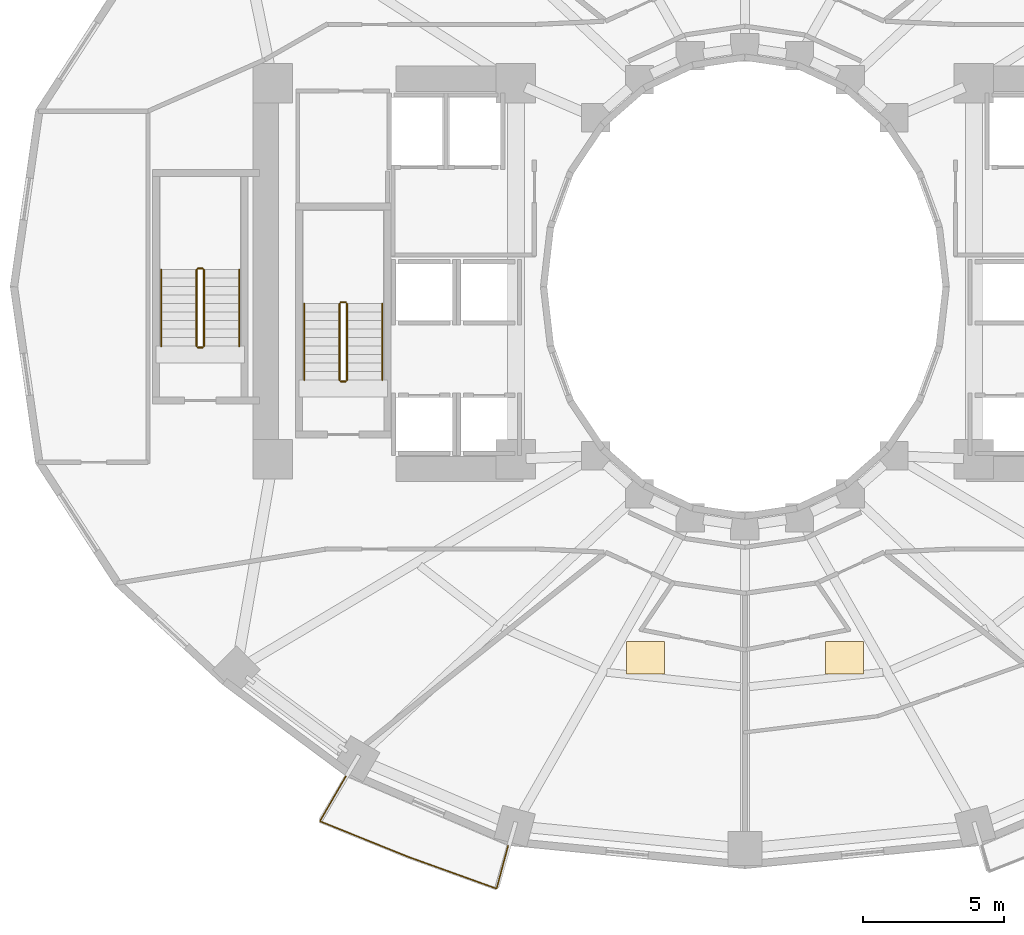
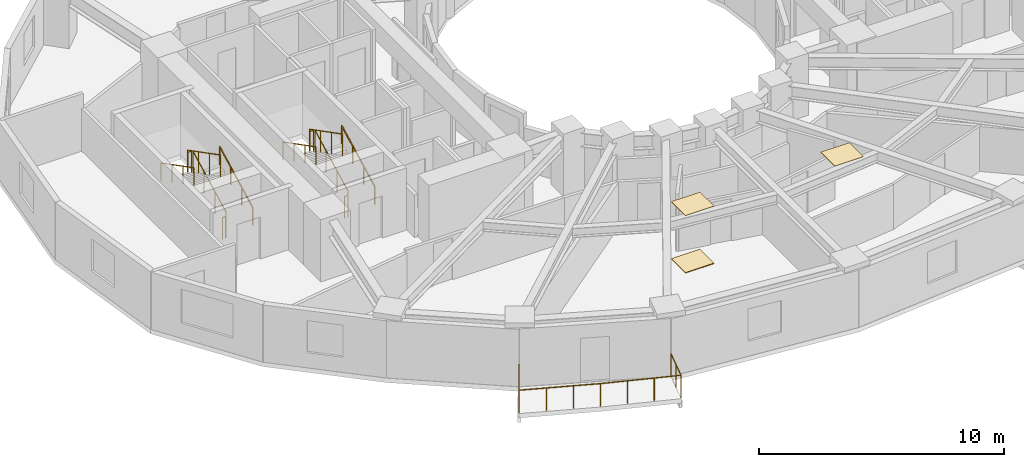
# One storey, part 8 of 10: 13 railings, 3 coverings.
"""IFC4 building model written with IfcOpenShell, lengths in metres."""

from ifc_helpers import new_model, si_unit, direction, frame, origin, origin_2d, place, context, subcontext, project, spatial, polyline, circle, outline, extrude, material, layer, layer_set, type_object, element, save


model = new_model("IFC4")

# Units and contexts
model_context = context("Model", 3, precision=1e-05, world=origin(), true_north=direction((0.0, 1.0)))
body_context = subcontext(model_context, "Body", "Model", "MODEL_VIEW")
ifc_project = project(units=[si_unit("LENGTHUNIT", "METRE"), si_unit("AREAUNIT", "SQUARE_METRE"), si_unit("VOLUMEUNIT", "CUBIC_METRE"), si_unit("PLANEANGLEUNIT", "RADIAN"), si_unit("MASSUNIT", "GRAM", prefix="KILO")], contexts=[model_context])

# Site, building, storey
site_placement = place(None, origin())
site = spatial("IfcSite", under=ifc_project, at=site_placement, CompositionType="ELEMENT")
building_placement = place(site_placement, origin())
building = spatial("IfcBuilding", under=site, at=building_placement, Name="Solvane Sanctuary Tower", CompositionType="ELEMENT")
storey_placement = place(building_placement, frame((0.0, 0.0, 30.699951171875)))
storey = spatial("IfcBuildingStorey", under=building, at=storey_placement, Name="L08", CompositionType="ELEMENT", Elevation=30.699951171875)

# Coverings
ifc_material_1 = material(Name="Acoustic Gypsum Partition Board")
ifc_layer_1 = layer(ifc_material_1, 0.02490234375, Name="Acoustic Gypsum Partition Board")
ifc_layer_set_1 = layer_set([ifc_layer_1], Name="Acoustic Gypsum Partition Board")
covering_type_1 = type_object("IfcCoveringType", Name="Covering CLG-ACOUST", PredefinedType="CEILING", material=ifc_layer_set_1)
covering_1_placement = place(storey_placement, frame((0.0, 0.0, 2.85009765625)))
element("IfcCovering", 1, at=covering_1_placement, inside=storey, type_object=covering_type_1, Name="L08 Unit Acoustic Ceiling Panel 3", PredefinedType="CEILING", context=body_context, shape_type="SweptSolid", body=[
    extrude(outline(polyline([(27.804931640625, 9.2880859375), (29.155029296875, 9.2880859375), (29.155029296875, 10.43798828125), (27.804931640625, 10.43798828125), (27.804931640625, 9.2880859375)])), origin(), (0.0, 0.0, 1.0), 0.030029296875),
])
covering_2_placement = place(storey_placement, frame((0.0, 0.0, 2.85009765625)))
element("IfcCovering", 2, at=covering_2_placement, inside=storey, type_object=covering_type_1, Name="L08 Unit Acoustic Ceiling Panel 4", PredefinedType="CEILING", context=body_context, shape_type="SweptSolid", body=[
    extrude(outline(polyline([(34.844970703125, 9.2880859375), (36.195068359375, 9.2880859375), (36.195068359375, 10.43798828125), (34.844970703125, 10.43798828125), (34.844970703125, 9.2880859375)])), origin(), (0.0, 0.0, 1.0), 0.030029296875),
])
ifc_material_2 = material(Name="Ceramic Tile Finish")
ifc_layer_2 = layer(ifc_material_2, 0.030029296875, Name="Ceramic Tile Finish")
ifc_layer_set_2 = layer_set([ifc_layer_2], Name="Ceramic Tile Finish")
covering_type_2 = type_object("IfcCoveringType", Name="Covering FLR-TERRAZZO", PredefinedType="FLOORING", material=ifc_layer_set_2)
covering_3_placement = place(storey_placement, origin())
element("IfcCovering", 3, at=covering_3_placement, inside=storey, type_object=covering_type_2, Name="L08 Unit Terrazzo Inlay 3", PredefinedType="FLOORING", context=body_context, shape_type="SweptSolid", body=[
    extrude(outline(polyline([(27.804931640625, 9.2880859375), (29.155029296875, 9.2880859375), (29.155029296875, 10.43798828125), (27.804931640625, 10.43798828125), (27.804931640625, 9.2880859375)])), origin(), (0.0, 0.0, 1.0), 0.03515625),
])

# Railings
ifc_material_3 = material(Name="Architectural Stainless Steel 316", Category="steel")
railing_type_1 = type_object("IfcRailingType", Name="Railing GR-BALC-1150", PredefinedType="BALUSTRADE", material=ifc_material_3)
railing_1_placement = place(storey_placement, frame((17.8818359375, 5.677978515625, 0.0)))
element("IfcRailing", 4, at=railing_1_placement, inside=storey, type_object=railing_type_1, Name="L08 Wave Balcony Balustrade S1", PredefinedType="BALUSTRADE", context=body_context, shape_type="SweptSolid", body=[
    extrude(circle(Radius=0.02392578125, at=origin_2d()), frame((0.0, 0.0, 1.1259765625), z_axis=(-0.499983153418, -0.866035129944, 0.0), x_axis=(0.866035129944, -0.499983153418, 0.0)), (0.0, 0.0, 1.0), 1.83740234375),
    extrude(circle(Radius=0.02392578125, at=origin_2d()), frame((-0.918701171875, -1.59130859375, 1.1259765625), z_axis=(0.927416285208, -0.374030792758, 0.0), x_axis=(0.374030792758, 0.927416285208, 0.0)), (0.0, 0.0, 1.0), 3.3623046875),
    extrude(circle(Radius=0.02392578125, at=origin_2d()), frame((2.199462890625, -2.848876953125, 1.1259765625), z_axis=(0.940990134822, -0.338433990857, 0.0), x_axis=(0.338433990857, 0.940990134822, 0.0)), (0.0, 0.0, 1.0), 3.331298828125),
    extrude(circle(Radius=0.02392578125, at=origin_2d()), frame((5.334228515625, -3.976318359375, 1.1259765625), z_axis=(0.258860199722, 0.965914798002, 0.0), x_axis=(-0.965914798002, 0.258860199722, 0.0)), (0.0, 0.0, 1.0), 1.5732421875),
    extrude(circle(Radius=0.02099609375, at=origin_2d()), origin(), (0.0, 0.0, 1.0), 1.101806640625),
    extrude(circle(Radius=0.02099609375, at=origin_2d()), frame((-0.45947265625, -0.795654296875, 0.0)), (0.0, 0.0, 1.0), 1.101806640625),
    extrude(circle(Radius=0.02099609375, at=origin_2d()), frame((-0.918701171875, -1.59130859375, 0.0)), (0.0, 0.0, 1.0), 1.101806640625),
    extrude(circle(Radius=0.02099609375, at=origin_2d()), frame((0.12060546875, -2.010498046875, 0.0)), (0.0, 0.0, 1.0), 1.101806640625),
    extrude(circle(Radius=0.02099609375, at=origin_2d()), frame((1.16015625, -2.4296875, 0.0)), (0.0, 0.0, 1.0), 1.101806640625),
    extrude(circle(Radius=0.02099609375, at=origin_2d()), frame((2.199462890625, -2.848876953125, 0.0)), (0.0, 0.0, 1.0), 1.101806640625),
    extrude(circle(Radius=0.02099609375, at=origin_2d()), frame((3.244384765625, -3.224609375, 0.0)), (0.0, 0.0, 1.0), 1.101806640625),
    extrude(circle(Radius=0.02099609375, at=origin_2d()), frame((4.289306640625, -3.6005859375, 0.0)), (0.0, 0.0, 1.0), 1.101806640625),
    extrude(circle(Radius=0.02099609375, at=origin_2d()), frame((5.334228515625, -3.976318359375, 0.0)), (0.0, 0.0, 1.0), 1.101806640625),
    extrude(circle(Radius=0.02099609375, at=origin_2d()), frame((5.537841796875, -3.216552734375, 0.0)), (0.0, 0.0, 1.0), 1.101806640625),
    extrude(circle(Radius=0.02099609375, at=origin_2d()), frame((5.741455078125, -2.456787109375, 0.0)), (0.0, 0.0, 1.0), 1.101806640625),
])
railing_2_placement = place(storey_placement, frame((17.919921875, 19.699951171875, 0.155029296875)))
element("IfcRailing", 5, at=railing_2_placement, inside=storey, type_object=railing_type_1, Name="L08 ST-1 stair guard 1", PredefinedType="BALUSTRADE", context=body_context, shape_type="SweptSolid", body=[
    extrude(circle(Radius=0.02392578125, at=origin_2d()), frame((0.0, 0.0, 1.076171875), z_axis=(0.0, 0.888419900624, 0.459031676658), x_axis=(-1.0, 0.0, 0.0)), (0.0, 0.0, 1.0), 3.0390625),
    extrude(circle(Radius=0.02099609375, at=origin_2d()), origin(), (0.0, 0.0, 1.0), 1.052001953125),
    extrude(circle(Radius=0.02099609375, at=origin_2d()), frame((0.0, 0.89990234375, 0.465087890625)), (0.0, 0.0, 1.0), 1.052001953125),
    extrude(circle(Radius=0.02099609375, at=origin_2d()), frame((0.0, 1.800048828125, 0.929931640625)), (0.0, 0.0, 1.0), 1.052001953125),
    extrude(circle(Radius=0.02099609375, at=origin_2d()), frame((0.0, 2.699951171875, 1.39501953125)), (0.0, 0.0, 1.0), 1.052001953125),
])
railing_3_placement = place(storey_placement, frame((17.8701171875, 22.449951171875, 1.550048828125)))
element("IfcRailing", 6, at=railing_3_placement, inside=storey, type_object=railing_type_1, Name="L08 ST-1 stair guard 2", PredefinedType="BALUSTRADE", context=body_context, shape_type="SweptSolid", body=[
    extrude(circle(Radius=0.02392578125, at=origin_2d()), frame((0.0, 0.0, 1.076171875), z_axis=(-1.0, 0.0, 0.0), x_axis=(0.0, -1.0, 0.0)), (0.0, 0.0, 1.0), 0.16015625),
    extrude(circle(Radius=0.02099609375, at=origin_2d()), origin(), (0.0, 0.0, 1.0), 1.052001953125),
    extrude(circle(Radius=0.02099609375, at=origin_2d()), frame((-0.16015625, 0.0, 0.0)), (0.0, 0.0, 1.0), 1.052001953125),
])
railing_4_placement = place(storey_placement, frame((17.659912109375, 22.39990234375, 1.705078125)))
element("IfcRailing", 7, at=railing_4_placement, inside=storey, type_object=railing_type_1, Name="L08 ST-1 stair guard 3", PredefinedType="BALUSTRADE", context=body_context, shape_type="SweptSolid", body=[
    extrude(circle(Radius=0.02392578125, at=origin_2d()), frame((0.0, 0.0, 1.076171875), z_axis=(0.0, -0.888419900624, 0.459031676658), x_axis=(1.0, 0.0, 0.0)), (0.0, 0.0, 1.0), 3.0390625),
    extrude(circle(Radius=0.02099609375, at=origin_2d()), origin(), (0.0, 0.0, 1.0), 1.052001953125),
    extrude(circle(Radius=0.02099609375, at=origin_2d()), frame((0.0, -0.89990234375, 0.465087890625)), (0.0, 0.0, 1.0), 1.052001953125),
    extrude(circle(Radius=0.02099609375, at=origin_2d()), frame((0.0, -1.800048828125, 0.929931640625)), (0.0, 0.0, 1.0), 1.052001953125),
    extrude(circle(Radius=0.02099609375, at=origin_2d()), frame((0.0, -2.699951171875, 1.39501953125)), (0.0, 0.0, 1.0), 1.052001953125),
])
railing_5_placement = place(storey_placement, frame((17.8701171875, 19.64990234375, 0.0)))
element("IfcRailing", 8, at=railing_5_placement, inside=storey, type_object=railing_type_1, Name="L08 ST-1 stair guard 4", PredefinedType="BALUSTRADE", context=body_context, shape_type="SweptSolid", body=[
    extrude(circle(Radius=0.02392578125, at=origin_2d()), frame((0.0, 0.0, 1.076171875), z_axis=(-1.0, 0.0, 0.0), x_axis=(0.0, -1.0, 0.0)), (0.0, 0.0, 1.0), 0.16015625),
    extrude(circle(Radius=0.02099609375, at=origin_2d()), origin(), (0.0, 0.0, 1.0), 1.052001953125),
    extrude(circle(Radius=0.02099609375, at=origin_2d()), frame((-0.16015625, 0.0, 0.0)), (0.0, 0.0, 1.0), 1.052001953125),
])
railing_6_placement = place(storey_placement, frame((12.860107421875, 20.89990234375, 0.155029296875)))
element("IfcRailing", 9, at=railing_6_placement, inside=storey, type_object=railing_type_1, Name="L08 ST-3 stair guard 1", PredefinedType="BALUSTRADE", context=body_context, shape_type="SweptSolid", body=[
    extrude(circle(Radius=0.02392578125, at=origin_2d()), frame((0.0, 0.0, 1.076171875), z_axis=(0.0, 0.888436826113, 0.458998917216), x_axis=(-1.0, 0.0, 0.0)), (0.0, 0.0, 1.0), 3.039306640625),
    extrude(circle(Radius=0.02099609375, at=origin_2d()), origin(), (0.0, 0.0, 1.0), 1.052001953125),
    extrude(circle(Radius=0.02099609375, at=origin_2d()), frame((0.0, 0.900146484375, 0.465087890625)), (0.0, 0.0, 1.0), 1.052001953125),
    extrude(circle(Radius=0.02099609375, at=origin_2d()), frame((0.0, 1.800048828125, 0.929931640625)), (0.0, 0.0, 1.0), 1.052001953125),
    extrude(circle(Radius=0.02099609375, at=origin_2d()), frame((0.0, 2.7001953125, 1.39501953125)), (0.0, 0.0, 1.0), 1.052001953125),
])
railing_7_placement = place(storey_placement, frame((12.81005859375, 23.64990234375, 1.550048828125)))
element("IfcRailing", 10, at=railing_7_placement, inside=storey, type_object=railing_type_1, Name="L08 ST-3 stair guard 2", PredefinedType="BALUSTRADE", context=body_context, shape_type="SweptSolid", body=[
    extrude(circle(Radius=0.02392578125, at=origin_2d()), frame((0.0, 0.0, 1.076171875), z_axis=(-1.0, 0.0, 0.0), x_axis=(0.0, -1.0, 0.0)), (0.0, 0.0, 1.0), 0.16015625),
    extrude(circle(Radius=0.02099609375, at=origin_2d()), origin(), (0.0, 0.0, 1.0), 1.052001953125),
    extrude(circle(Radius=0.02099609375, at=origin_2d()), frame((-0.16015625, 0.0, 0.0)), (0.0, 0.0, 1.0), 1.052001953125),
])
railing_8_placement = place(storey_placement, frame((12.60009765625, 23.60009765625, 1.705078125)))
element("IfcRailing", 11, at=railing_8_placement, inside=storey, type_object=railing_type_1, Name="L08 ST-3 stair guard 3", PredefinedType="BALUSTRADE", context=body_context, shape_type="SweptSolid", body=[
    extrude(circle(Radius=0.02392578125, at=origin_2d()), frame((0.0, 0.0, 1.076171875), z_axis=(0.0, -0.888436826113, 0.458998917216), x_axis=(1.0, 0.0, 0.0)), (0.0, 0.0, 1.0), 3.039306640625),
    extrude(circle(Radius=0.02099609375, at=origin_2d()), origin(), (0.0, 0.0, 1.0), 1.052001953125),
    extrude(circle(Radius=0.02099609375, at=origin_2d()), frame((0.0, -0.900146484375, 0.465087890625)), (0.0, 0.0, 1.0), 1.052001953125),
    extrude(circle(Radius=0.02099609375, at=origin_2d()), frame((0.0, -1.800048828125, 0.929931640625)), (0.0, 0.0, 1.0), 1.052001953125),
    extrude(circle(Radius=0.02099609375, at=origin_2d()), frame((0.0, -2.7001953125, 1.39501953125)), (0.0, 0.0, 1.0), 1.052001953125),
])
railing_9_placement = place(storey_placement, frame((12.81005859375, 20.85009765625, 0.0)))
element("IfcRailing", 12, at=railing_9_placement, inside=storey, type_object=railing_type_1, Name="L08 ST-3 stair guard 4", PredefinedType="BALUSTRADE", context=body_context, shape_type="SweptSolid", body=[
    extrude(circle(Radius=0.02392578125, at=origin_2d()), frame((0.0, 0.0, 1.076171875), z_axis=(-1.0, 0.0, 0.0), x_axis=(0.0, -1.0, 0.0)), (0.0, 0.0, 1.0), 0.16015625),
    extrude(circle(Radius=0.02099609375, at=origin_2d()), origin(), (0.0, 0.0, 1.0), 1.052001953125),
    extrude(circle(Radius=0.02099609375, at=origin_2d()), frame((-0.16015625, 0.0, 0.0)), (0.0, 0.0, 1.0), 1.052001953125),
])
railing_type_2 = type_object("IfcRailingType", Name="Railing HR-STAIR-920", PredefinedType="HANDRAIL", material=ifc_material_3)
railing_10_placement = place(storey_placement, frame((19.169921875, 19.699951171875, 0.155029296875)))
element("IfcRailing", 13, at=railing_10_placement, inside=storey, type_object=railing_type_2, Name="L08 ST-1 stair handrail 1", PredefinedType="HANDRAIL", context=body_context, shape_type="SweptSolid", body=[
    extrude(circle(Radius=0.02392578125, at=origin_2d()), frame((0.0, 0.0, 0.8759765625), z_axis=(0.0, 0.888419900624, 0.459031676658), x_axis=(-1.0, 0.0, 0.0)), (0.0, 0.0, 1.0), 3.0390625),
    extrude(circle(Radius=0.02099609375, at=origin_2d()), origin(), (0.0, 0.0, 1.0), 0.851806640625),
    extrude(circle(Radius=0.02099609375, at=origin_2d()), frame((0.0, 0.89990234375, 0.465087890625)), (0.0, 0.0, 1.0), 0.851806640625),
    extrude(circle(Radius=0.02099609375, at=origin_2d()), frame((0.0, 1.800048828125, 0.929931640625)), (0.0, 0.0, 1.0), 0.851806640625),
    extrude(circle(Radius=0.02099609375, at=origin_2d()), frame((0.0, 2.699951171875, 1.39501953125)), (0.0, 0.0, 1.0), 0.851806640625),
])
railing_11_placement = place(storey_placement, frame((16.409912109375, 22.39990234375, 1.705078125)))
element("IfcRailing", 14, at=railing_11_placement, inside=storey, type_object=railing_type_2, Name="L08 ST-1 stair handrail 2", PredefinedType="HANDRAIL", context=body_context, shape_type="SweptSolid", body=[
    extrude(circle(Radius=0.02392578125, at=origin_2d()), frame((0.0, 0.0, 0.8759765625), z_axis=(0.0, -0.888419900624, 0.459031676658), x_axis=(1.0, 0.0, 0.0)), (0.0, 0.0, 1.0), 3.0390625),
    extrude(circle(Radius=0.02099609375, at=origin_2d()), origin(), (0.0, 0.0, 1.0), 0.851806640625),
    extrude(circle(Radius=0.02099609375, at=origin_2d()), frame((0.0, -0.89990234375, 0.465087890625)), (0.0, 0.0, 1.0), 0.851806640625),
    extrude(circle(Radius=0.02099609375, at=origin_2d()), frame((0.0, -1.800048828125, 0.929931640625)), (0.0, 0.0, 1.0), 0.851806640625),
    extrude(circle(Radius=0.02099609375, at=origin_2d()), frame((0.0, -2.699951171875, 1.39501953125)), (0.0, 0.0, 1.0), 0.851806640625),
])
railing_12_placement = place(storey_placement, frame((14.110107421875, 20.89990234375, 0.155029296875)))
element("IfcRailing", 15, at=railing_12_placement, inside=storey, type_object=railing_type_2, Name="L08 ST-3 stair handrail 1", PredefinedType="HANDRAIL", context=body_context, shape_type="SweptSolid", body=[
    extrude(circle(Radius=0.02392578125, at=origin_2d()), frame((0.0, 0.0, 0.8759765625), z_axis=(0.0, 0.888436826113, 0.458998917216), x_axis=(-1.0, 0.0, 0.0)), (0.0, 0.0, 1.0), 3.039306640625),
    extrude(circle(Radius=0.02099609375, at=origin_2d()), origin(), (0.0, 0.0, 1.0), 0.851806640625),
    extrude(circle(Radius=0.02099609375, at=origin_2d()), frame((0.0, 0.900146484375, 0.465087890625)), (0.0, 0.0, 1.0), 0.851806640625),
    extrude(circle(Radius=0.02099609375, at=origin_2d()), frame((0.0, 1.800048828125, 0.929931640625)), (0.0, 0.0, 1.0), 0.851806640625),
    extrude(circle(Radius=0.02099609375, at=origin_2d()), frame((0.0, 2.7001953125, 1.39501953125)), (0.0, 0.0, 1.0), 0.851806640625),
])
railing_13_placement = place(storey_placement, frame((11.35009765625, 23.60009765625, 1.705078125)))
element("IfcRailing", 16, at=railing_13_placement, inside=storey, type_object=railing_type_2, Name="L08 ST-3 stair handrail 2", PredefinedType="HANDRAIL", context=body_context, shape_type="SweptSolid", body=[
    extrude(circle(Radius=0.02392578125, at=origin_2d()), frame((0.0, 0.0, 0.8759765625), z_axis=(0.0, -0.888436826113, 0.458998917216), x_axis=(1.0, 0.0, 0.0)), (0.0, 0.0, 1.0), 3.039306640625),
    extrude(circle(Radius=0.02099609375, at=origin_2d()), origin(), (0.0, 0.0, 1.0), 0.851806640625),
    extrude(circle(Radius=0.02099609375, at=origin_2d()), frame((0.0, -0.900146484375, 0.465087890625)), (0.0, 0.0, 1.0), 0.851806640625),
    extrude(circle(Radius=0.02099609375, at=origin_2d()), frame((0.0, -1.800048828125, 0.929931640625)), (0.0, 0.0, 1.0), 0.851806640625),
    extrude(circle(Radius=0.02099609375, at=origin_2d()), frame((0.0, -2.7001953125, 1.39501953125)), (0.0, 0.0, 1.0), 0.851806640625),
])

save(model, "model.ifc")
